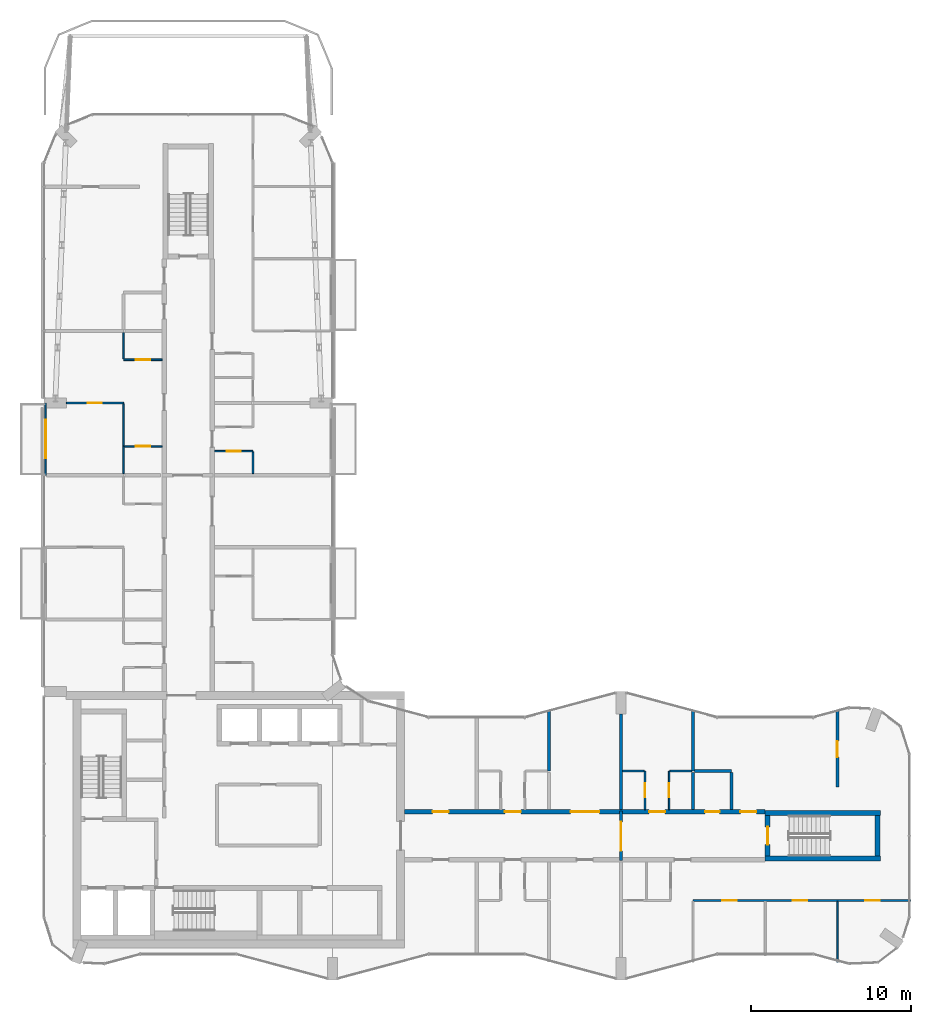
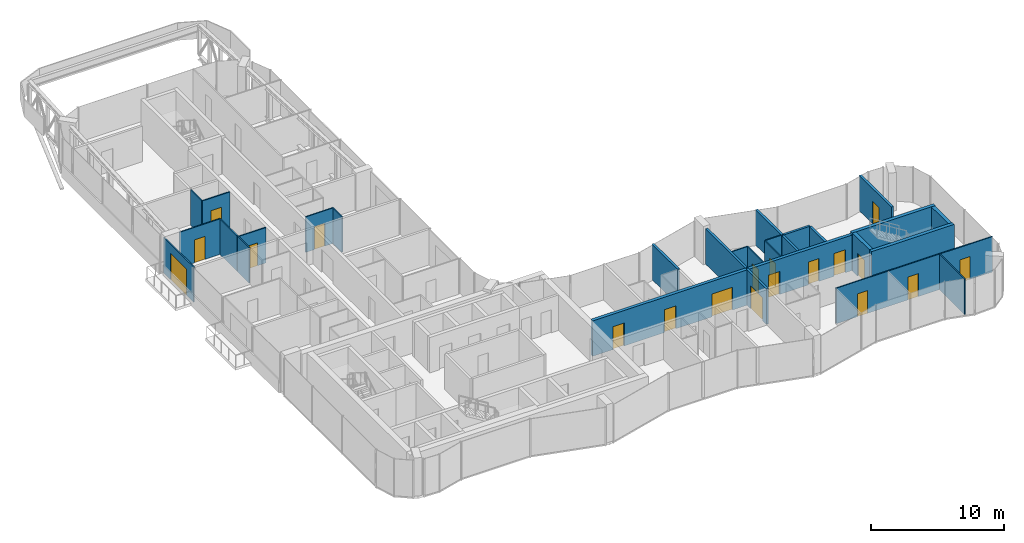
# One storey, part 12 of 17: 28 walls, 19 doors, 19 openings.
"""IFC4 building model written with IfcOpenShell, lengths in metres."""

from ifc_helpers import new_model, si_unit, direction, frame, frame_2d, origin, place, context, subcontext, project, spatial, rectangle, extrude, material, layer, layer_set, type_object, element, fill, save


model = new_model("IFC4")

# Units and contexts
model_context = context("Model", 3, precision=1e-05, world=origin(), true_north=direction((0.0, 1.0)))
body_context = subcontext(model_context, "Body", "Model", "MODEL_VIEW")
ifc_project = project(units=[si_unit("LENGTHUNIT", "METRE"), si_unit("AREAUNIT", "SQUARE_METRE"), si_unit("VOLUMEUNIT", "CUBIC_METRE"), si_unit("PLANEANGLEUNIT", "RADIAN"), si_unit("MASSUNIT", "GRAM", prefix="KILO")], contexts=[model_context])

# Site, building, storey
site_placement = place(None, origin())
site = spatial("IfcSite", under=ifc_project, at=site_placement, CompositionType="ELEMENT")
building_placement = place(site_placement, origin())
building = spatial("IfcBuilding", under=site, at=building_placement, Name="Plateau Cross Towers", CompositionType="ELEMENT")
storey_placement = place(building_placement, frame((0.0, 0.0, 222.39990234375)))
storey = spatial("IfcBuildingStorey", under=building, at=storey_placement, Name="L58", CompositionType="ELEMENT", Elevation=222.39990234375)

# Wall, opening, door
ifc_material_1 = material(Name="Aluminium framed glazing", Category="aluminium")
ifc_layer_1 = layer(ifc_material_1, 0.10009765625)
ifc_layer_set_1 = layer_set([ifc_layer_1], Name="Aluminium framed glazing")
wall_type_1 = type_object("IfcWallType", Name="Balcony screen wall 100", PredefinedType="STANDARD", material=ifc_layer_set_1)
wall_1_placement = place(storey_placement, frame((0.10009765625, 31.5, 0.0), z_axis=(0.0, 0.0, 1.0), x_axis=(0.0, 1.0, 0.0)))
wall_1 = element("IfcWall", 1, at=wall_1_placement, inside=storey, type_object=wall_type_1, Name="Balcony screen wall A-BAL-L58-02", PredefinedType="STANDARD", context=body_context, shape_type="SweptSolid", body=[
    extrude(rectangle(XDim=4.5, YDim=0.10009765625, at=frame_2d((2.25, 0.0))), origin(), (0.0, 0.0, 1.0), 3.25),
])
opening_1_placement = place(wall_1_placement, frame((1.050048828125, 0.0, 0.0)))
opening_1 = element("IfcOpeningElement", 2, at=opening_1_placement, cuts=wall_1, Name="Opening D-B24", PredefinedType="OPENING", context=body_context, shape_type="SweptSolid", body=[
    extrude(rectangle(XDim=2.39990234375, YDim=2.39990234375, at=frame_2d((1.199951171875, 1.199951171875))), frame((0.0, 0.06005859375, 0.0), z_axis=(0.0, -1.0, 0.0), x_axis=(1.0, 0.0, 0.0)), (0.0, 0.0, 1.0), 0.1201171875),
])
ifc_material_2 = material(Name="Aluminium frame, double glazing", Category="aluminium")
door_type_1 = type_object("IfcDoorType", Name="Balcony sliding door 2400", OperationType="NOTDEFINED", PredefinedType="DOOR", material=ifc_material_2)
door_1_placement = place(opening_1_placement, origin())
door_1 = element("IfcDoor", 3, at=door_1_placement, inside=storey, type_object=door_type_1, Name="Balcony door A-BAL-L58-02", OperationType="SINGLE_SWING_LEFT", OverallHeight=2.39990234375, OverallWidth=2.39990234375, PredefinedType="DOOR", context=body_context, shape_type="SweptSolid", body=[
    extrude(rectangle(XDim=2.39990234375, YDim=2.39990234375, at=frame_2d((1.199951171875, 1.199951171875))), frame((0.0, 0.02490234375, 0.0), z_axis=(0.0, -1.0, 0.0), x_axis=(1.0, 0.0, 0.0)), (0.0, 0.0, 1.0), 0.050048828125),
])
fill(opening_1, door_1)

# Wall, openings, doors
ifc_material_3 = material(Name="Concrete C60/75", Category="concrete")
ifc_layer_2 = layer(ifc_material_3, 0.27490234375)
ifc_layer_set_2 = layer_set([ifc_layer_2], Name="Concrete C60/75")
wall_type_2 = type_object("IfcWallType", Name="Corridor wall 275", PredefinedType="SHEAR", material=ifc_layer_set_2)
wall_2_placement = place(storey_placement, frame((22.5, 10.5, 0.0), z_axis=(0.0, 0.0, 1.0), x_axis=(1.0, 0.0, 0.0)))
wall_2 = element("IfcWall", 4, at=wall_2_placement, inside=storey, type_object=wall_type_2, Name="A-cw-S2@L58", PredefinedType="SHEAR", context=body_context, shape_type="SweptSolid", body=[
    extrude(rectangle(XDim=22.5, YDim=0.27490234375, at=frame_2d((11.25, 0.0))), origin(), (0.0, 0.0, 1.0), 3.25),
])
opening_2_placement = place(wall_2_placement, frame((1.75, 0.0, 0.0)))
opening_2 = element("IfcOpeningElement", 5, at=opening_2_placement, cuts=wall_2, Name="Opening 58-05", PredefinedType="OPENING", context=body_context, shape_type="SweptSolid", body=[
    extrude(rectangle(XDim=1.0, YDim=2.10009765625, at=frame_2d((0.5, 1.050048828125))), frame((0.0, 0.1474609375, 0.0), z_axis=(0.0, -1.0, 0.0), x_axis=(1.0, 0.0, 0.0)), (0.0, 0.0, 1.0), 0.294921875),
])
opening_3_placement = place(wall_2_placement, frame((6.25, 0.0, 0.0)))
opening_3 = element("IfcOpeningElement", 6, at=opening_3_placement, cuts=wall_2, Name="Opening 58-06", PredefinedType="OPENING", context=body_context, shape_type="SweptSolid", body=[
    extrude(rectangle(XDim=1.0, YDim=2.10009765625, at=frame_2d((0.5, 1.050048828125))), frame((0.0, 0.1474609375, 0.0), z_axis=(0.0, -1.0, 0.0), x_axis=(1.0, 0.0, 0.0)), (0.0, 0.0, 1.0), 0.294921875),
])
opening_4_placement = place(wall_2_placement, frame((10.35009765625, 0.0, 0.0)))
opening_4 = element("IfcOpeningElement", 7, at=opening_4_placement, cuts=wall_2, Name="Opening 58-07", PredefinedType="OPENING", context=body_context, shape_type="SweptSolid", body=[
    extrude(rectangle(XDim=1.800048828125, YDim=2.10009765625, at=frame_2d((0.89990234375, 1.050048828125))), frame((0.0, 0.1474609375, 0.0), z_axis=(0.0, -1.0, 0.0), x_axis=(1.0, 0.0, 0.0)), (0.0, 0.0, 1.0), 0.294921875),
])
opening_5_placement = place(wall_2_placement, frame((15.25, 0.0, 0.0)))
opening_5 = element("IfcOpeningElement", 8, at=opening_5_placement, cuts=wall_2, Name="Opening 58-08", PredefinedType="OPENING", context=body_context, shape_type="SweptSolid", body=[
    extrude(rectangle(XDim=1.0, YDim=2.10009765625, at=frame_2d((0.5, 1.050048828125))), frame((0.0, 0.1474609375, 0.0), z_axis=(0.0, -1.0, 0.0), x_axis=(1.0, 0.0, 0.0)), (0.0, 0.0, 1.0), 0.294921875),
])
opening_6_placement = place(wall_2_placement, frame((18.75, 0.0, 0.0)))
opening_6 = element("IfcOpeningElement", 9, at=opening_6_placement, cuts=wall_2, Name="Opening 58-09", PredefinedType="OPENING", context=body_context, shape_type="SweptSolid", body=[
    extrude(rectangle(XDim=0.89990234375, YDim=2.10009765625, at=frame_2d((0.449951171875, 1.050048828125))), frame((0.0, 0.1474609375, 0.0), z_axis=(0.0, -1.0, 0.0), x_axis=(1.0, 0.0, 0.0)), (0.0, 0.0, 1.0), 0.294921875),
])
opening_7_placement = place(wall_2_placement, frame((20.949951171875, 0.0, 0.0)))
opening_7 = element("IfcOpeningElement", 10, at=opening_7_placement, cuts=wall_2, Name="Opening 58-10", PredefinedType="OPENING", context=body_context, shape_type="SweptSolid", body=[
    extrude(rectangle(XDim=1.0, YDim=2.10009765625, at=frame_2d((0.5, 1.050048828125))), frame((0.0, 0.1474609375, 0.0), z_axis=(0.0, -1.0, 0.0), x_axis=(1.0, 0.0, 0.0)), (0.0, 0.0, 1.0), 0.294921875),
])
ifc_material_4 = material(Name="Timber, fire-resisting leaf", Category="wood")
door_type_2 = type_object("IfcDoorType", Name="Flat entrance door 1000", OperationType="NOTDEFINED", PredefinedType="DOOR", material=ifc_material_4)
door_2_placement = place(opening_2_placement, origin())
door_2 = element("IfcDoor", 11, at=door_2_placement, inside=storey, type_object=door_type_2, Name="Door 58-05", OperationType="SINGLE_SWING_LEFT", OverallHeight=2.10009765625, OverallWidth=1.0, PredefinedType="DOOR", context=body_context, shape_type="SweptSolid", body=[
    extrude(rectangle(XDim=1.0, YDim=2.10009765625, at=frame_2d((0.5, 1.050048828125))), frame((0.0, 0.02490234375, 0.0), z_axis=(0.0, -1.0, 0.0), x_axis=(1.0, 0.0, 0.0)), (0.0, 0.0, 1.0), 0.050048828125),
])
fill(opening_2, door_2)
door_3_placement = place(opening_3_placement, origin())
door_3 = element("IfcDoor", 12, at=door_3_placement, inside=storey, type_object=door_type_2, Name="Door 58-06", OperationType="SINGLE_SWING_LEFT", OverallHeight=2.10009765625, OverallWidth=1.0, PredefinedType="DOOR", context=body_context, shape_type="SweptSolid", body=[
    extrude(rectangle(XDim=1.0, YDim=2.10009765625, at=frame_2d((0.5, 1.050048828125))), frame((0.0, 0.02490234375, 0.0), z_axis=(0.0, -1.0, 0.0), x_axis=(1.0, 0.0, 0.0)), (0.0, 0.0, 1.0), 0.050048828125),
])
fill(opening_3, door_3)
door_4_placement = place(opening_5_placement, origin())
door_4 = element("IfcDoor", 13, at=door_4_placement, inside=storey, type_object=door_type_2, Name="Door 58-08", OperationType="SINGLE_SWING_RIGHT", OverallHeight=2.10009765625, OverallWidth=1.0, PredefinedType="DOOR", context=body_context, shape_type="SweptSolid", body=[
    extrude(rectangle(XDim=1.0, YDim=2.10009765625, at=frame_2d((0.5, 1.050048828125))), frame((0.0, 0.02490234375, 0.0), z_axis=(0.0, -1.0, 0.0), x_axis=(1.0, 0.0, 0.0)), (0.0, 0.0, 1.0), 0.050048828125),
])
fill(opening_5, door_4)
door_5_placement = place(opening_7_placement, origin())
door_5 = element("IfcDoor", 14, at=door_5_placement, inside=storey, type_object=door_type_2, Name="Door 58-10", OperationType="SINGLE_SWING_RIGHT", OverallHeight=2.10009765625, OverallWidth=1.0, PredefinedType="DOOR", context=body_context, shape_type="SweptSolid", body=[
    extrude(rectangle(XDim=1.0, YDim=2.10009765625, at=frame_2d((0.5, 1.050048828125))), frame((0.0, 0.02490234375, 0.0), z_axis=(0.0, -1.0, 0.0), x_axis=(1.0, 0.0, 0.0)), (0.0, 0.0, 1.0), 0.050048828125),
])
fill(opening_7, door_5)
ifc_material_5 = material(Name="Timber, fire-resisting leaves", Category="wood")
door_type_3 = type_object("IfcDoorType", Name="Flat floor fire door pair 1800", OperationType="NOTDEFINED", PredefinedType="DOOR", material=ifc_material_5)
door_6_placement = place(opening_4_placement, origin())
door_6 = element("IfcDoor", 15, at=door_6_placement, inside=storey, type_object=door_type_3, Name="Door 58-07", OperationType="SINGLE_SWING_LEFT", OverallHeight=2.10009765625, OverallWidth=1.800048828125, PredefinedType="DOOR", context=body_context, shape_type="SweptSolid", body=[
    extrude(rectangle(XDim=1.800048828125, YDim=2.10009765625, at=frame_2d((0.89990234375, 1.050048828125))), frame((0.0, 0.02490234375, 0.0), z_axis=(0.0, -1.0, 0.0), x_axis=(1.0, 0.0, 0.0)), (0.0, 0.0, 1.0), 0.050048828125),
])
fill(opening_4, door_6)
door_type_4 = type_object("IfcDoorType", Name="Flat floor service door 900", OperationType="NOTDEFINED", PredefinedType="DOOR", material=ifc_material_4)
door_7_placement = place(opening_6_placement, origin())
door_7 = element("IfcDoor", 16, at=door_7_placement, inside=storey, type_object=door_type_4, Name="Door 58-09", OperationType="SINGLE_SWING_RIGHT", OverallHeight=2.10009765625, OverallWidth=0.89990234375, PredefinedType="DOOR", context=body_context, shape_type="SweptSolid", body=[
    extrude(rectangle(XDim=0.89990234375, YDim=2.10009765625, at=frame_2d((0.449951171875, 1.050048828125))), frame((0.0, 0.02490234375, 0.0), z_axis=(0.0, -1.0, 0.0), x_axis=(1.0, 0.0, 0.0)), (0.0, 0.0, 1.0), 0.050048828125),
])
fill(opening_6, door_7)

ifc_material_6 = material(Name="Gypsum board on steel studs", Category="steel")
ifc_layer_3 = layer(ifc_material_6, 0.10009765625)
ifc_layer_set_3 = layer_set([ifc_layer_3], Name="Gypsum board on steel studs")
wall_type_3 = type_object("IfcWallType", Name="Flat partition 100", PredefinedType="PARTITIONING", material=ifc_layer_set_3)
wall_3_placement = place(storey_placement, frame((54.080078125, 4.96240234375, 0.0), z_axis=(0.0, 0.0, 1.0), x_axis=(-1.0, 0.0, 0.0)))
wall_3 = element("IfcWall", 17, at=wall_3_placement, inside=storey, type_object=wall_type_3, Name="Partition wall", PredefinedType="PARTITIONING", context=body_context, shape_type="SweptSolid", body=[
    extrude(rectangle(XDim=13.580078125, YDim=0.10009765625, at=frame_2d((6.7900390625, 0.0))), origin(), (0.0, 0.0, 1.0), 3.25),
])
opening_8_placement = place(wall_3_placement, frame((10.85009765625, 0.0, 0.0)))
opening_8 = element("IfcOpeningElement", 18, at=opening_8_placement, cuts=wall_3, Name="Opening 58-28", PredefinedType="OPENING", context=body_context, shape_type="SweptSolid", body=[
    extrude(rectangle(XDim=0.89990234375, YDim=2.10009765625, at=frame_2d((0.449951171875, 1.050048828125))), frame((0.0, 0.06005859375, 0.0), z_axis=(0.0, -1.0, 0.0), x_axis=(1.0, 0.0, 0.0)), (0.0, 0.0, 1.0), 0.1201171875),
])
opening_9_placement = place(wall_3_placement, frame((6.449951171875, 0.0, 0.0)))
opening_9 = element("IfcOpeningElement", 19, at=opening_9_placement, cuts=wall_3, Name="Opening 58-29", PredefinedType="OPENING", context=body_context, shape_type="SweptSolid", body=[
    extrude(rectangle(XDim=0.89990234375, YDim=2.10009765625, at=frame_2d((0.449951171875, 1.050048828125))), frame((0.0, 0.06005859375, 0.0), z_axis=(0.0, -1.0, 0.0), x_axis=(1.0, 0.0, 0.0)), (0.0, 0.0, 1.0), 0.1201171875),
])
opening_10_placement = place(wall_3_placement, frame((1.949951171875, 0.0, 0.0)))
opening_10 = element("IfcOpeningElement", 20, at=opening_10_placement, cuts=wall_3, Name="Opening 58-30", PredefinedType="OPENING", context=body_context, shape_type="SweptSolid", body=[
    extrude(rectangle(XDim=0.89990234375, YDim=2.10009765625, at=frame_2d((0.449951171875, 1.050048828125))), frame((0.0, 0.06005859375, 0.0), z_axis=(0.0, -1.0, 0.0), x_axis=(1.0, 0.0, 0.0)), (0.0, 0.0, 1.0), 0.1201171875),
])
ifc_material_7 = material(Name="Timber leaf", Category="wood")
door_type_5 = type_object("IfcDoorType", Name="Flat room door 900", OperationType="NOTDEFINED", PredefinedType="DOOR", material=ifc_material_7)
door_8_placement = place(opening_8_placement, origin())
door_8 = element("IfcDoor", 21, at=door_8_placement, inside=storey, type_object=door_type_5, Name="Door 58-28", OperationType="SINGLE_SWING_RIGHT", OverallHeight=2.10009765625, OverallWidth=0.89990234375, PredefinedType="DOOR", context=body_context, shape_type="SweptSolid", body=[
    extrude(rectangle(XDim=0.89990234375, YDim=2.10009765625, at=frame_2d((0.449951171875, 1.050048828125))), frame((0.0, 0.02490234375, 0.0), z_axis=(0.0, -1.0, 0.0), x_axis=(1.0, 0.0, 0.0)), (0.0, 0.0, 1.0), 0.050048828125),
])
fill(opening_8, door_8)
door_9_placement = place(opening_9_placement, origin())
door_9 = element("IfcDoor", 22, at=door_9_placement, inside=storey, type_object=door_type_5, Name="Door 58-29", OperationType="SINGLE_SWING_RIGHT", OverallHeight=2.10009765625, OverallWidth=0.89990234375, PredefinedType="DOOR", context=body_context, shape_type="SweptSolid", body=[
    extrude(rectangle(XDim=0.89990234375, YDim=2.10009765625, at=frame_2d((0.449951171875, 1.050048828125))), frame((0.0, 0.02490234375, 0.0), z_axis=(0.0, -1.0, 0.0), x_axis=(1.0, 0.0, 0.0)), (0.0, 0.0, 1.0), 0.050048828125),
])
fill(opening_9, door_9)
door_10_placement = place(opening_10_placement, origin())
door_10 = element("IfcDoor", 23, at=door_10_placement, inside=storey, type_object=door_type_5, Name="Door 58-30", OperationType="SINGLE_SWING_LEFT", OverallHeight=2.10009765625, OverallWidth=0.89990234375, PredefinedType="DOOR", context=body_context, shape_type="SweptSolid", body=[
    extrude(rectangle(XDim=0.89990234375, YDim=2.10009765625, at=frame_2d((0.449951171875, 1.050048828125))), frame((0.0, 0.02490234375, 0.0), z_axis=(0.0, -1.0, 0.0), x_axis=(1.0, 0.0, 0.0)), (0.0, 0.0, 1.0), 0.050048828125),
])
fill(opening_10, door_10)

# Walls
for number, where, z_axis, x_axis, name in (
    (24, (37.449951171875, 13.03759765625, 0.0), (0.0, 0.0, 1.0), (-1.0, 0.0, 0.0), "Partition wall"),
    (25, (40.39990234375, 13.03759765625, 0.0), (0.0, 0.0, 1.0), (-1.0, 0.0, 0.0), "Partition wall"),
):
    element("IfcWall", number, at=place(storey_placement, frame(where, z_axis=z_axis, x_axis=x_axis)), inside=storey, type_object=wall_type_3, Name=name, PredefinedType="PARTITIONING", context=body_context, shape_type="SweptSolid", body=[
        extrude(rectangle(XDim=1.349853515625, YDim=0.10009765625, at=frame_2d((0.6748046875, 0.0))), origin(), (0.0, 0.0, 1.0), 3.25),
    ])

# Wall, opening, door
wall_4_placement = place(storey_placement, frame((13.03759765625, 33.0, 0.0), z_axis=(0.0, 0.0, 1.0), x_axis=(-1.0, 0.0, 0.0)))
wall_4 = element("IfcWall", 26, at=wall_4_placement, inside=storey, type_object=wall_type_3, Name="Partition wall", PredefinedType="PARTITIONING", context=body_context, shape_type="SweptSolid", body=[
    extrude(rectangle(XDim=2.400146484375, YDim=0.10009765625, at=frame_2d((1.2001953125, 0.0))), origin(), (0.0, 0.0, 1.0), 3.25),
])
opening_11_placement = place(wall_4_placement, frame((0.75, 0.0, 0.0)))
opening_11 = element("IfcOpeningElement", 27, at=opening_11_placement, cuts=wall_4, Name="Opening 58-46", PredefinedType="OPENING", context=body_context, shape_type="SweptSolid", body=[
    extrude(rectangle(XDim=0.89990234375, YDim=2.10009765625, at=frame_2d((0.449951171875, 1.050048828125))), frame((0.0, 0.06005859375, 0.0), z_axis=(0.0, -1.0, 0.0), x_axis=(1.0, 0.0, 0.0)), (0.0, 0.0, 1.0), 0.1201171875),
])
door_11_placement = place(opening_11_placement, origin())
door_11 = element("IfcDoor", 28, at=door_11_placement, inside=storey, type_object=door_type_5, Name="Door 58-46", OperationType="SINGLE_SWING_LEFT", OverallHeight=2.10009765625, OverallWidth=0.89990234375, PredefinedType="DOOR", context=body_context, shape_type="SweptSolid", body=[
    extrude(rectangle(XDim=0.89990234375, YDim=2.10009765625, at=frame_2d((0.449951171875, 1.050048828125))), frame((0.0, 0.02490234375, 0.0), z_axis=(0.0, -1.0, 0.0), x_axis=(1.0, 0.0, 0.0)), (0.0, 0.0, 1.0), 0.050048828125),
])
fill(opening_11, door_11)

wall_5_placement = place(storey_placement, frame((7.362548828125, 33.300048828125, 0.0), z_axis=(0.0, 0.0, 1.0), x_axis=(-1.0, 0.0, 0.0)))
wall_5 = element("IfcWall", 29, at=wall_5_placement, inside=storey, type_object=wall_type_3, Name="Partition wall", PredefinedType="PARTITIONING", context=body_context, shape_type="SweptSolid", body=[
    extrude(rectangle(XDim=2.35009765625, YDim=0.10009765625, at=frame_2d((1.175048828125, 0.0))), origin(), (0.0, 0.0, 1.0), 3.25),
])
opening_12_placement = place(wall_5_placement, frame((0.75, 0.0, 0.0)))
opening_12 = element("IfcOpeningElement", 30, at=opening_12_placement, cuts=wall_5, Name="Opening 58-40", PredefinedType="OPENING", context=body_context, shape_type="SweptSolid", body=[
    extrude(rectangle(XDim=0.89990234375, YDim=2.10009765625, at=frame_2d((0.449951171875, 1.050048828125))), frame((0.0, 0.06005859375, 0.0), z_axis=(0.0, -1.0, 0.0), x_axis=(1.0, 0.0, 0.0)), (0.0, 0.0, 1.0), 0.1201171875),
])
door_12_placement = place(opening_12_placement, origin())
door_12 = element("IfcDoor", 31, at=door_12_placement, inside=storey, type_object=door_type_5, Name="Door 58-40", OperationType="SINGLE_SWING_RIGHT", OverallHeight=2.10009765625, OverallWidth=0.89990234375, PredefinedType="DOOR", context=body_context, shape_type="SweptSolid", body=[
    extrude(rectangle(XDim=0.89990234375, YDim=2.10009765625, at=frame_2d((0.449951171875, 1.050048828125))), frame((0.0, 0.02490234375, 0.0), z_axis=(0.0, -1.0, 0.0), x_axis=(1.0, 0.0, 0.0)), (0.0, 0.0, 1.0), 0.050048828125),
])
fill(opening_12, door_12)

wall_6_placement = place(storey_placement, frame((4.96240234375, 36.0, 0.0), z_axis=(0.0, 0.0, 1.0), x_axis=(-1.0, 0.0, 0.0)))
wall_6 = element("IfcWall", 32, at=wall_6_placement, inside=storey, type_object=wall_type_3, Name="Partition wall", PredefinedType="PARTITIONING", context=body_context, shape_type="SweptSolid", body=[
    extrude(rectangle(XDim=3.5625, YDim=0.10009765625, at=frame_2d((1.78125, 0.0))), origin(), (0.0, 0.0, 1.0), 3.25),
])
opening_13_placement = place(wall_6_placement, frame((1.35009765625, 0.0, 0.0)))
opening_13 = element("IfcOpeningElement", 33, at=opening_13_placement, cuts=wall_6, Name="Opening 58-42", PredefinedType="OPENING", context=body_context, shape_type="SweptSolid", body=[
    extrude(rectangle(XDim=0.89990234375, YDim=2.10009765625, at=frame_2d((0.449951171875, 1.050048828125))), frame((0.0, 0.06005859375, 0.0), z_axis=(0.0, -1.0, 0.0), x_axis=(1.0, 0.0, 0.0)), (0.0, 0.0, 1.0), 0.1201171875),
])
door_13_placement = place(opening_13_placement, origin())
door_13 = element("IfcDoor", 34, at=door_13_placement, inside=storey, type_object=door_type_5, Name="Door 58-42", OperationType="SINGLE_SWING_RIGHT", OverallHeight=2.10009765625, OverallWidth=0.89990234375, PredefinedType="DOOR", context=body_context, shape_type="SweptSolid", body=[
    extrude(rectangle(XDim=0.89990234375, YDim=2.10009765625, at=frame_2d((0.449951171875, 1.050048828125))), frame((0.0, 0.02490234375, 0.0), z_axis=(0.0, -1.0, 0.0), x_axis=(1.0, 0.0, 0.0)), (0.0, 0.0, 1.0), 0.050048828125),
])
fill(opening_13, door_13)

wall_7_placement = place(storey_placement, frame((4.96240234375, 38.699951171875, 0.0), z_axis=(0.0, 0.0, 1.0), x_axis=(1.0, 0.0, 0.0)))
wall_7 = element("IfcWall", 35, at=wall_7_placement, inside=storey, type_object=wall_type_3, Name="Partition wall", PredefinedType="PARTITIONING", context=body_context, shape_type="SweptSolid", body=[
    extrude(rectangle(XDim=2.400146484375, YDim=0.10009765625, at=frame_2d((1.2001953125, 0.0))), origin(), (0.0, 0.0, 1.0), 3.25),
])
opening_14_placement = place(wall_7_placement, frame((0.75, 0.0, 0.0)))
opening_14 = element("IfcOpeningElement", 36, at=opening_14_placement, cuts=wall_7, Name="Opening 58-41", PredefinedType="OPENING", context=body_context, shape_type="SweptSolid", body=[
    extrude(rectangle(XDim=0.89990234375, YDim=2.10009765625, at=frame_2d((0.449951171875, 1.050048828125))), frame((0.0, 0.06005859375, 0.0), z_axis=(0.0, -1.0, 0.0), x_axis=(1.0, 0.0, 0.0)), (0.0, 0.0, 1.0), 0.1201171875),
])
door_14_placement = place(opening_14_placement, origin())
door_14 = element("IfcDoor", 37, at=door_14_placement, inside=storey, type_object=door_type_5, Name="Door 58-41", OperationType="SINGLE_SWING_RIGHT", OverallHeight=2.10009765625, OverallWidth=0.89990234375, PredefinedType="DOOR", context=body_context, shape_type="SweptSolid", body=[
    extrude(rectangle(XDim=0.89990234375, YDim=2.10009765625, at=frame_2d((0.449951171875, 1.050048828125))), frame((0.0, 0.02490234375, 0.0), z_axis=(0.0, -1.0, 0.0), x_axis=(1.0, 0.0, 0.0)), (0.0, 0.0, 1.0), 0.050048828125),
])
fill(opening_14, door_14)

# Walls
wall_8_placement = place(storey_placement, frame((4.96240234375, 33.300048828125, 0.0), z_axis=(0.0, 0.0, 1.0), x_axis=(0.0, -1.0, 0.0)))
element("IfcWall", 38, at=wall_8_placement, inside=storey, type_object=wall_type_3, Name="Partition wall", PredefinedType="PARTITIONING", context=body_context, shape_type="SweptSolid", body=[
    extrude(rectangle(XDim=1.699951171875, YDim=0.10009765625, at=frame_2d((0.85009765625, 0.0))), origin(), (0.0, 0.0, 1.0), 3.25),
])
wall_9_placement = place(storey_placement, frame((4.96240234375, 40.39990234375, 0.0), z_axis=(0.0, 0.0, 1.0), x_axis=(0.0, -1.0, 0.0)))
element("IfcWall", 39, at=wall_9_placement, inside=storey, type_object=wall_type_3, Name="Partition wall", PredefinedType="PARTITIONING", context=body_context, shape_type="SweptSolid", body=[
    extrude(rectangle(XDim=1.64990234375, YDim=0.10009765625, at=frame_2d((0.824951171875, 0.0))), origin(), (0.0, 0.0, 1.0), 3.25),
])
wall_10_placement = place(storey_placement, frame((4.96240234375, 33.35009765625, 0.0), z_axis=(0.0, 0.0, 1.0), x_axis=(0.0, 1.0, 0.0)))
element("IfcWall", 40, at=wall_10_placement, inside=storey, type_object=wall_type_3, Name="Partition wall", PredefinedType="PARTITIONING", context=body_context, shape_type="SweptSolid", body=[
    extrude(rectangle(XDim=2.599853515625, YDim=0.10009765625, at=frame_2d((1.2998046875, 0.0))), origin(), (0.0, 0.0, 1.0), 3.25),
])
wall_11_placement = place(storey_placement, frame((13.03759765625, 31.60009765625, 0.0), z_axis=(0.0, 0.0, 1.0), x_axis=(0.0, 1.0, 0.0)))
element("IfcWall", 41, at=wall_11_placement, inside=storey, type_object=wall_type_3, Name="Partition wall", PredefinedType="PARTITIONING", context=body_context, shape_type="SweptSolid", body=[
    extrude(rectangle(XDim=1.349853515625, YDim=0.10009765625, at=frame_2d((0.6748046875, 0.0))), origin(), (0.0, 0.0, 1.0), 3.25),
])

# Wall, opening, door
wall_12_placement = place(storey_placement, frame((37.5, 10.637451171875, 0.0), z_axis=(0.0, 0.0, 1.0), x_axis=(0.0, 1.0, 0.0)))
wall_12 = element("IfcWall", 42, at=wall_12_placement, inside=storey, type_object=wall_type_3, Name="Partition wall", PredefinedType="PARTITIONING", context=body_context, shape_type="SweptSolid", body=[
    extrude(rectangle(XDim=2.400146484375, YDim=0.10009765625, at=frame_2d((1.2001953125, 0.0))), origin(), (0.0, 0.0, 1.0), 3.25),
])
opening_15_placement = place(wall_12_placement, frame((0.75, 0.0, 0.0)))
opening_15 = element("IfcOpeningElement", 43, at=opening_15_placement, cuts=wall_12, Name="Opening 58-33", PredefinedType="OPENING", context=body_context, shape_type="SweptSolid", body=[
    extrude(rectangle(XDim=0.89990234375, YDim=2.10009765625, at=frame_2d((0.449951171875, 1.050048828125))), frame((0.0, 0.06005859375, 0.0), z_axis=(0.0, -1.0, 0.0), x_axis=(1.0, 0.0, 0.0)), (0.0, 0.0, 1.0), 0.1201171875),
])
door_15_placement = place(opening_15_placement, origin())
door_15 = element("IfcDoor", 44, at=door_15_placement, inside=storey, type_object=door_type_5, Name="Door 58-33", OperationType="SINGLE_SWING_LEFT", OverallHeight=2.10009765625, OverallWidth=0.89990234375, PredefinedType="DOOR", context=body_context, shape_type="SweptSolid", body=[
    extrude(rectangle(XDim=0.89990234375, YDim=2.10009765625, at=frame_2d((0.449951171875, 1.050048828125))), frame((0.0, 0.02490234375, 0.0), z_axis=(0.0, -1.0, 0.0), x_axis=(1.0, 0.0, 0.0)), (0.0, 0.0, 1.0), 0.050048828125),
])
fill(opening_15, door_15)

wall_13_placement = place(storey_placement, frame((39.0, 13.03759765625, 0.0), z_axis=(0.0, 0.0, 1.0), x_axis=(0.0, -1.0, 0.0)))
wall_13 = element("IfcWall", 45, at=wall_13_placement, inside=storey, type_object=wall_type_3, Name="Partition wall", PredefinedType="PARTITIONING", context=body_context, shape_type="SweptSolid", body=[
    extrude(rectangle(XDim=2.400146484375, YDim=0.10009765625, at=frame_2d((1.2001953125, 0.0))), origin(), (0.0, 0.0, 1.0), 3.25),
])
opening_16_placement = place(wall_13_placement, frame((0.75, 0.0, 0.0)))
opening_16 = element("IfcOpeningElement", 46, at=opening_16_placement, cuts=wall_13, Name="Opening 58-34", PredefinedType="OPENING", context=body_context, shape_type="SweptSolid", body=[
    extrude(rectangle(XDim=0.89990234375, YDim=2.10009765625, at=frame_2d((0.449951171875, 1.050048828125))), frame((0.0, 0.06005859375, 0.0), z_axis=(0.0, -1.0, 0.0), x_axis=(1.0, 0.0, 0.0)), (0.0, 0.0, 1.0), 0.1201171875),
])
door_16_placement = place(opening_16_placement, origin())
door_16 = element("IfcDoor", 47, at=door_16_placement, inside=storey, type_object=door_type_5, Name="Door 58-34", OperationType="SINGLE_SWING_LEFT", OverallHeight=2.10009765625, OverallWidth=0.89990234375, PredefinedType="DOOR", context=body_context, shape_type="SweptSolid", body=[
    extrude(rectangle(XDim=0.89990234375, YDim=2.10009765625, at=frame_2d((0.449951171875, 1.050048828125))), frame((0.0, 0.02490234375, 0.0), z_axis=(0.0, -1.0, 0.0), x_axis=(1.0, 0.0, 0.0)), (0.0, 0.0, 1.0), 0.050048828125),
])
fill(opening_16, door_16)

# Walls
wall_14_placement = place(storey_placement, frame((49.5, 1.122314453125, 0.0), z_axis=(0.0, 0.0, 1.0), x_axis=(0.0, 1.0, 0.0)))
element("IfcWall", 48, at=wall_14_placement, inside=storey, type_object=wall_type_3, Name="Partition wall", PredefinedType="PARTITIONING", context=body_context, shape_type="SweptSolid", body=[
    extrude(rectangle(XDim=3.790283203125, YDim=0.10009765625, at=frame_2d((1.89501953125, 0.0))), origin(), (0.0, 0.0, 1.0), 3.25),
])
ifc_material_8 = material(Name="Gypsum board on steel studs, two layers each side", Category="steel")
ifc_layer_4 = layer(ifc_material_8, 0.199951171875)
ifc_layer_set_4 = layer_set([ifc_layer_4], Name="Gypsum board on steel studs, two layers each side")
wall_type_4 = type_object("IfcWallType", Name="Flat party wall 200", PredefinedType="PARTITIONING", material=ifc_layer_set_4)
wall_15_placement = place(storey_placement, frame((42.89990234375, 13.03759765625, 0.0), z_axis=(0.0, 0.0, 1.0), x_axis=(-1.0, 0.0, 0.0)))
element("IfcWall", 49, at=wall_15_placement, inside=storey, type_object=wall_type_4, Name="Party wall", PredefinedType="PARTITIONING", context=body_context, shape_type="SweptSolid", body=[
    extrude(rectangle(XDim=2.2998046875, YDim=0.199951171875, at=frame_2d((1.14990234375, 0.0))), origin(), (0.0, 0.0, 1.0), 3.25),
])
wall_16_placement = place(storey_placement, frame((31.5, 16.877685546875, 0.0), z_axis=(0.0, 0.0, 1.0), x_axis=(0.0, -1.0, 0.0)))
element("IfcWall", 50, at=wall_16_placement, inside=storey, type_object=wall_type_4, Name="Party wall", PredefinedType="PARTITIONING", context=body_context, shape_type="SweptSolid", body=[
    extrude(rectangle(XDim=3.840087890625, YDim=0.199951171875, at=frame_2d((1.919921875, 0.0))), origin(), (0.0, 0.0, 1.0), 3.25),
])
wall_17_placement = place(storey_placement, frame((36.0, 10.637451171875, 0.0), z_axis=(0.0, 0.0, 1.0), x_axis=(0.0, 1.0, 0.0)))
element("IfcWall", 51, at=wall_17_placement, inside=storey, type_object=wall_type_4, Name="Party wall", PredefinedType="PARTITIONING", context=body_context, shape_type="SweptSolid", body=[
    extrude(rectangle(XDim=5.962646484375, YDim=0.199951171875, at=frame_2d((2.9814453125, 0.0))), origin(), (0.0, 0.0, 1.0), 3.25),
])
wall_18_placement = place(storey_placement, frame((40.5, 16.877685546875, 0.0), z_axis=(0.0, 0.0, 1.0), x_axis=(0.0, -1.0, 0.0)))
element("IfcWall", 52, at=wall_18_placement, inside=storey, type_object=wall_type_4, Name="Party wall", PredefinedType="PARTITIONING", context=body_context, shape_type="SweptSolid", body=[
    extrude(rectangle(XDim=3.840087890625, YDim=0.199951171875, at=frame_2d((1.919921875, 0.0))), origin(), (0.0, 0.0, 1.0), 3.25),
])
for number, where, z_axis, x_axis, name in (
    (53, (40.5, 10.637451171875, 0.0), (0.0, 0.0, 1.0), (0.0, 1.0, 0.0), "Party wall"),
    (54, (42.89990234375, 10.637451171875, 0.0), (0.0, 0.0, 1.0), (0.0, 1.0, 0.0), "Party wall"),
):
    element("IfcWall", number, at=place(storey_placement, frame(where, z_axis=z_axis, x_axis=x_axis)), inside=storey, type_object=wall_type_4, Name=name, PredefinedType="PARTITIONING", context=body_context, shape_type="SweptSolid", body=[
        extrude(rectangle(XDim=2.300048828125, YDim=0.199951171875, at=frame_2d((1.14990234375, 0.0))), origin(), (0.0, 0.0, 1.0), 3.25),
    ])

# Wall, opening, door
wall_19_placement = place(storey_placement, frame((49.5, 12.050048828125, 0.0), z_axis=(0.0, 0.0, 1.0), x_axis=(0.0, 1.0, 0.0)))
wall_19 = element("IfcWall", 55, at=wall_19_placement, inside=storey, type_object=wall_type_4, Name="Party wall", PredefinedType="PARTITIONING", context=body_context, shape_type="SweptSolid", body=[
    extrude(rectangle(XDim=4.82763671875, YDim=0.199951171875, at=frame_2d((2.413818359375, 0.0))), origin(), (0.0, 0.0, 1.0), 3.25),
])
opening_17_placement = place(wall_19_placement, frame((1.85009765625, 0.0, 0.0)))
opening_17 = element("IfcOpeningElement", 56, at=opening_17_placement, cuts=wall_19, Name="Opening 58-22", PredefinedType="OPENING", context=body_context, shape_type="SweptSolid", body=[
    extrude(rectangle(XDim=1.0, YDim=2.10009765625, at=frame_2d((0.5, 1.050048828125))), frame((0.0, 0.10986328125, 0.0), z_axis=(0.0, -1.0, 0.0), x_axis=(1.0, 0.0, 0.0)), (0.0, 0.0, 1.0), 0.219970703125),
])
door_17_placement = place(opening_17_placement, origin())
door_17 = element("IfcDoor", 57, at=door_17_placement, inside=storey, type_object=door_type_2, Name="Door 58-22", OperationType="SINGLE_SWING_LEFT", OverallHeight=2.10009765625, OverallWidth=1.0, PredefinedType="DOOR", context=body_context, shape_type="SweptSolid", body=[
    extrude(rectangle(XDim=1.0, YDim=2.10009765625, at=frame_2d((0.5, 1.050048828125))), frame((0.0, 0.02490234375, 0.0), z_axis=(0.0, -1.0, 0.0), x_axis=(1.0, 0.0, 0.0)), (0.0, 0.0, 1.0), 0.050048828125),
])
fill(opening_17, door_17)

wall_20_placement = place(storey_placement, frame((36.0, 7.46240234375, 0.0), z_axis=(0.0, 0.0, 1.0), x_axis=(0.0, 1.0, 0.0)))
wall_20 = element("IfcWall", 58, at=wall_20_placement, inside=storey, type_object=wall_type_4, Name="Party wall", PredefinedType="PARTITIONING", context=body_context, shape_type="SweptSolid", body=[
    extrude(rectangle(XDim=3.0751953125, YDim=0.199951171875, at=frame_2d((1.53759765625, 0.0))), origin(), (0.0, 0.0, 1.0), 3.25),
])
opening_18_placement = place(wall_20_placement, frame((0.60009765625, 0.0, 0.0)))
opening_18 = element("IfcOpeningElement", 59, at=opening_18_placement, cuts=wall_20, Name="Opening 58-20", PredefinedType="OPENING", context=body_context, shape_type="SweptSolid", body=[
    extrude(rectangle(XDim=1.800048828125, YDim=2.10009765625, at=frame_2d((0.89990234375, 1.050048828125))), frame((0.0, 0.10986328125, 0.0), z_axis=(0.0, -1.0, 0.0), x_axis=(1.0, 0.0, 0.0)), (0.0, 0.0, 1.0), 0.219970703125),
])
door_18_placement = place(opening_18_placement, origin())
door_18 = element("IfcDoor", 60, at=door_18_placement, inside=storey, type_object=door_type_3, Name="Door 58-20", OperationType="SINGLE_SWING_LEFT", OverallHeight=2.10009765625, OverallWidth=1.800048828125, PredefinedType="DOOR", context=body_context, shape_type="SweptSolid", body=[
    extrude(rectangle(XDim=1.800048828125, YDim=2.10009765625, at=frame_2d((0.89990234375, 1.050048828125))), frame((0.0, 0.02490234375, 0.0), z_axis=(0.0, -1.0, 0.0), x_axis=(1.0, 0.0, 0.0)), (0.0, 0.0, 1.0), 0.050048828125),
])
fill(opening_18, door_18)

ifc_layer_5 = layer(ifc_material_3, 0.300048828125)
ifc_layer_set_5 = layer_set([ifc_layer_5], Name="Concrete C60/75")
wall_type_5 = type_object("IfcWallType", Name="Stair tower wall 300", PredefinedType="SHEAR", material=ifc_layer_set_5)
wall_21_placement = place(storey_placement, frame((45.14990234375, 7.72509765625, 0.0), z_axis=(0.0, 0.0, 1.0), x_axis=(0.0, 1.0, 0.0)))
wall_21 = element("IfcWall", 61, at=wall_21_placement, inside=storey, type_object=wall_type_5, Name="A-end-E-W@L58", PredefinedType="SHEAR", context=body_context, shape_type="SweptSolid", body=[
    extrude(rectangle(XDim=2.5498046875, YDim=0.300048828125, at=frame_2d((1.27490234375, 0.0))), origin(), (0.0, 0.0, 1.0), 3.5),
])
opening_19_placement = place(wall_21_placement, frame((0.72509765625, 0.0, 0.0)))
opening_19 = element("IfcOpeningElement", 62, at=opening_19_placement, cuts=wall_21, Name="Opening SD", PredefinedType="OPENING", context=body_context, shape_type="SweptSolid", body=[
    extrude(rectangle(XDim=1.10009765625, YDim=2.10009765625, at=frame_2d((0.550048828125, 1.050048828125))), frame((0.0, 0.159912109375, 0.0), z_axis=(0.0, -1.0, 0.0), x_axis=(1.0, 0.0, 0.0)), (0.0, 0.0, 1.0), 0.320068359375),
])
ifc_material_9 = material(Name="Steel, fire-resisting leaf", Category="steel")
door_type_6 = type_object("IfcDoorType", Name="Stair door 1100", OperationType="NOTDEFINED", PredefinedType="DOOR", material=ifc_material_9)
door_19_placement = place(opening_19_placement, origin())
door_19 = element("IfcDoor", 63, at=door_19_placement, inside=storey, type_object=door_type_6, Name="Stair door SD", OperationType="SINGLE_SWING_LEFT", OverallHeight=2.10009765625, OverallWidth=1.10009765625, PredefinedType="DOOR", context=body_context, shape_type="SweptSolid", body=[
    extrude(rectangle(XDim=1.10009765625, YDim=2.10009765625, at=frame_2d((0.550048828125, 1.050048828125))), frame((0.0, 0.02490234375, 0.0), z_axis=(0.0, -1.0, 0.0), x_axis=(1.0, 0.0, 0.0)), (0.0, 0.0, 1.0), 0.050048828125),
])
fill(opening_19, door_19)

# Walls
wall_22_placement = place(storey_placement, frame((52.0, 7.72509765625, 0.0), z_axis=(0.0, 0.0, 1.0), x_axis=(0.0, 1.0, 0.0)))
element("IfcWall", 64, at=wall_22_placement, inside=storey, type_object=wall_type_5, Name="A-end-E-E@L58", PredefinedType="SHEAR", context=body_context, shape_type="SweptSolid", body=[
    extrude(rectangle(XDim=2.5498046875, YDim=0.300048828125, at=frame_2d((1.27490234375, 0.0))), origin(), (0.0, 0.0, 1.0), 3.5),
])
for number, where, z_axis, x_axis, name in (
    (65, (45.0, 7.574951171875, 0.0), (0.0, 0.0, 1.0), (1.0, 0.0, 0.0), "A-end-E-S@L58"),
    (66, (45.0, 10.425048828125, 0.0), (0.0, 0.0, 1.0), (1.0, 0.0, 0.0), "A-end-E-N@L58"),
):
    element("IfcWall", number, at=place(storey_placement, frame(where, z_axis=z_axis, x_axis=x_axis)), inside=storey, type_object=wall_type_5, Name=name, PredefinedType="SHEAR", context=body_context, shape_type="SweptSolid", body=[
        extrude(rectangle(XDim=7.199951171875, YDim=0.300048828125, at=frame_2d((3.60009765625, 0.0))), origin(), (0.0, 0.0, 1.0), 3.5),
    ])

save(model, "model.ifc")
